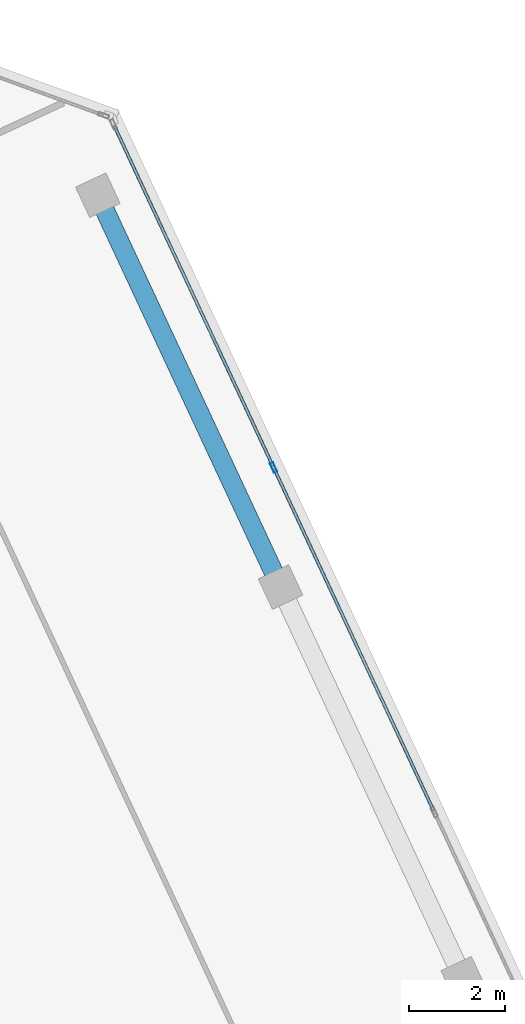
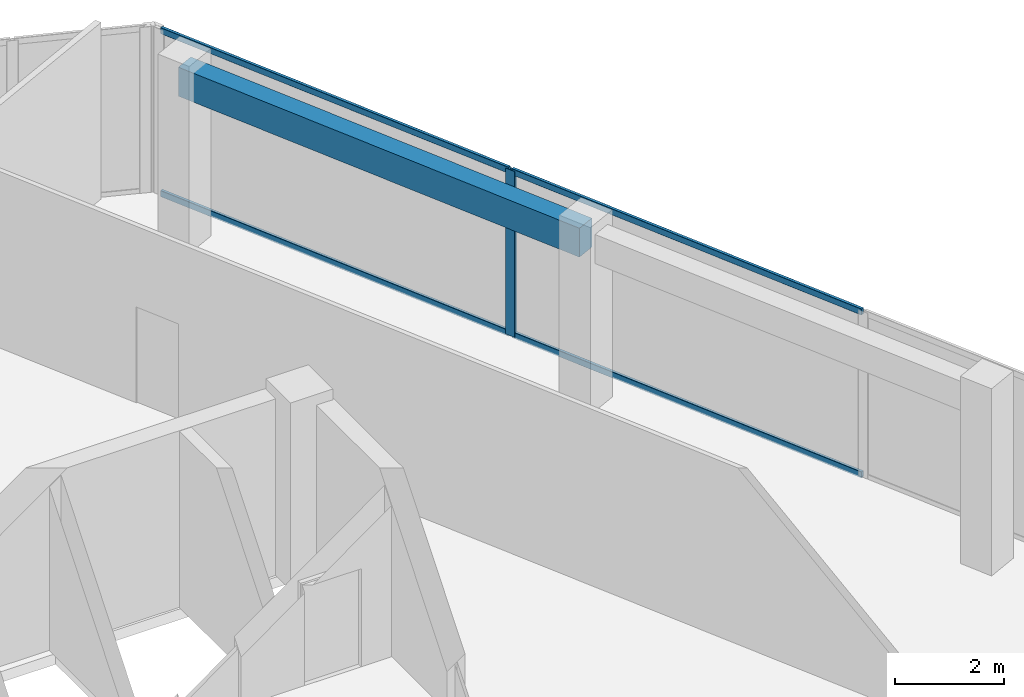
# One storey, part 11 of 17: 5 members, 1 beam, 1 element without a shape of its own.
"""IFC4 building model written with IfcOpenShell, lengths in metres."""

from ifc_helpers import new_model, si_unit, direction, frame, origin, origin_2d, place, context, subcontext, project, spatial, rectangle, hollow_rectangle, extrude, source, transform, mapped, material, material_profile, profile_set, type_object, element, aggregate, save


model = new_model("IFC4")

# Units and contexts
model_context = context("Model", 3, precision=1e-05, world=origin(), true_north=direction((0.0, 1.0)))
body_context = subcontext(model_context, "Body", "Model", "MODEL_VIEW")
ifc_project = project(units=[si_unit("LENGTHUNIT", "METRE"), si_unit("AREAUNIT", "SQUARE_METRE"), si_unit("VOLUMEUNIT", "CUBIC_METRE"), si_unit("PLANEANGLEUNIT", "RADIAN"), si_unit("MASSUNIT", "GRAM", prefix="KILO")], contexts=[model_context])

# Site, building, storey
site_placement = place(None, origin())
site = spatial("IfcSite", under=ifc_project, at=site_placement, CompositionType="ELEMENT")
building_placement = place(site_placement, origin())
building = spatial("IfcBuilding", under=site, at=building_placement, Name="Torre Montelarca", CompositionType="ELEMENT")
storey_placement = place(building_placement, frame((0.0, 0.0, 340.800048828125)))
storey = spatial("IfcBuildingStorey", under=building, at=storey_placement, Name="L77", CompositionType="ELEMENT", Elevation=340.800048828125)

# Beam
ifc_material_1 = material(Name="Concrete C40/50", Category="concrete")
ifc_material_profile_1 = material_profile(ifc_material_1, rectangle(XDim=0.39990234375, YDim=0.64990234375, at=origin_2d()), Name="RCB400X650", Category="concrete")
ifc_profile_set_1 = profile_set([ifc_material_profile_1], Name="Concrete C40/50")
beam_type = type_object("IfcBeamType", Name="BM-SP-RC650-EXT", PredefinedType="SPANDREL", material=ifc_profile_set_1)
shared_shape_1 = source(origin(), body_context, "Body", "SweptSolid", [
    extrude(rectangle(XDim=0.39990234375, YDim=0.64990234375, at=origin_2d()), origin(), (0.0, 0.0, 1.0), 9.0),
])
beam_placement = place(storey_placement, frame((29.94775390625, 49.7314453125, 3.635009765625), z_axis=(0.422632992999, -0.906300917592, 0.0), x_axis=(0.906300917592, 0.422632992999, 0.0)))
element("IfcBeam", 1, at=beam_placement, inside=storey, type_object=beam_type, Name="L77 Grid Girder X 9.0-18.0 at Y=47.1", PredefinedType="SPANDREL", context=body_context, shape_type="MappedRepresentation", body=[
    mapped(shared_shape_1, transform((0.0, 0.0, 0.0), scale=1.0)),
])

# Curtain wall, members
ifc_material_2 = material(Name="Insulated low-E laminated glass", Category="glass")
curtain_wall_type = type_object("IfcCurtainWallType", Name="CW-SYS-Z4", PredefinedType="USERDEFINED", material=ifc_material_2)
curtain_wall_placement = place(storey_placement, origin())
curtain_wall = element("IfcCurtainWall", 2, at=curtain_wall_placement, inside=storey, type_object=curtain_wall_type, Name="L77 Curtain Wall Run CW-T3-L77-E08-B1", ObjectType="UNITISED GLAZING", PredefinedType="USERDEFINED")
ifc_material_3 = material(Name="Anodised aluminium AA 6063-T6", Category="aluminium")
ifc_material_profile_2 = material_profile(ifc_material_3, hollow_rectangle(XDim=0.074951171875, YDim=0.219970703125, WallThickness=0.0048828125, InnerFilletRadius=0.0048828125, OuterFilletRadius=0.010009765625, at=origin_2d()), Name="ALU75X220X5", Category="aluminium")
ifc_profile_set_2 = profile_set([ifc_material_profile_2], Name="Anodised aluminium AA 6063-T6")
member_type_1 = type_object("IfcMemberType", Name="CWM-ALU220", PredefinedType="MULLION", material=ifc_profile_set_2)
shared_shape_2 = source(origin(), body_context, "Body", "SweptSolid", [
    extrude(hollow_rectangle(XDim=0.074951171875, YDim=0.219970703125, WallThickness=0.0048828125, InnerFilletRadius=0.0048828125, OuterFilletRadius=0.010009765625, at=origin_2d()), origin(), (0.0, 0.0, 1.0), 3.719970703125),
])
member_1_placement = place(storey_placement, frame((33.60595703125, 44.0634765625, 0.0), z_axis=(0.0, 0.0, 1.0), x_axis=(-0.906309431792, -0.422614734533, 0.0)))
member_1 = element("IfcMember", 3, at=member_1_placement, type_object=member_type_1, Name="CW mullion 4", PredefinedType="MULLION", context=body_context, shape_type="MappedRepresentation", body=[
    mapped(shared_shape_2, transform((0.0, 0.0, 0.0), scale=1.0)),
])
ifc_material_profile_3 = material_profile(ifc_material_3, hollow_rectangle(XDim=0.06494140625, YDim=0.139892578125, WallThickness=0.00390625, InnerFilletRadius=0.00390625, OuterFilletRadius=0.008056640625, at=origin_2d()), Name="ALU65X140X4", Category="aluminium")
ifc_profile_set_3 = profile_set([ifc_material_profile_3], Name="Anodised aluminium AA 6063-T6")
member_type_2 = type_object("IfcMemberType", Name="CWT-ALU140", PredefinedType="USERDEFINED", material=ifc_profile_set_3)
shared_shape_3 = source(origin(), body_context, "Body", "SweptSolid", [
    extrude(hollow_rectangle(XDim=0.06494140625, YDim=0.139892578125, WallThickness=0.00390625, InnerFilletRadius=0.00390625, OuterFilletRadius=0.008056640625, at=origin_2d()), origin(), (0.0, 0.0, 1.0), 7.842041015625),
])
member_2_placement = place(storey_placement, frame((36.93603515625, 36.922119140625, 0.032470703125), z_axis=(-0.422614463241, 0.906309558296, 0.0), x_axis=(-0.906309558296, -0.422614463241, 0.0)))
member_2 = element("IfcMember", 4, at=member_2_placement, type_object=member_type_2, Name="CW transom 3.1", ObjectType="TRANSOM", PredefinedType="USERDEFINED", context=body_context, shape_type="MappedRepresentation", body=[
    mapped(shared_shape_3, transform((0.0, 0.0, 0.0), scale=1.0)),
])
member_3_placement = place(storey_placement, frame((36.93603515625, 36.922119140625, 3.6875), z_axis=(-0.422614463241, 0.906309558296, 0.0), x_axis=(-0.906309558296, -0.422614463241, 0.0)))
member_3 = element("IfcMember", 5, at=member_3_placement, type_object=member_type_2, Name="CW transom 3.2", ObjectType="TRANSOM", PredefinedType="USERDEFINED", context=body_context, shape_type="MappedRepresentation", body=[
    mapped(shared_shape_3, transform((0.0, 0.0, 0.0), scale=1.0)),
])
shared_shape_4 = source(origin(), body_context, "Body", "SweptSolid", [
    extrude(hollow_rectangle(XDim=0.06494140625, YDim=0.139892578125, WallThickness=0.00390625, InnerFilletRadius=0.00390625, OuterFilletRadius=0.008056640625, at=origin_2d()), origin(), (0.0, 0.0, 1.0), 7.804443359375),
])
member_4_placement = place(storey_placement, frame((33.590087890625, 44.09765625, 0.032470703125), z_axis=(-0.422621718427, 0.906306175149, 0.0), x_axis=(-0.906306175149, -0.422621718427, 0.0)))
member_4 = element("IfcMember", 6, at=member_4_placement, type_object=member_type_2, Name="CW transom 4.1", ObjectType="TRANSOM", PredefinedType="USERDEFINED", context=body_context, shape_type="MappedRepresentation", body=[
    mapped(shared_shape_4, transform((0.0, 0.0, 0.0), scale=1.0)),
])
member_5_placement = place(storey_placement, frame((33.590087890625, 44.09765625, 3.6875), z_axis=(-0.422621718427, 0.906306175149, 0.0), x_axis=(-0.906306175149, -0.422621718427, 0.0)))
member_5 = element("IfcMember", 7, at=member_5_placement, type_object=member_type_2, Name="CW transom 4.2", ObjectType="TRANSOM", PredefinedType="USERDEFINED", context=body_context, shape_type="MappedRepresentation", body=[
    mapped(shared_shape_4, transform((0.0, 0.0, 0.0), scale=1.0)),
])
aggregate(curtain_wall, [member_1, member_2, member_3, member_4, member_5])

save(model, "model.ifc")
